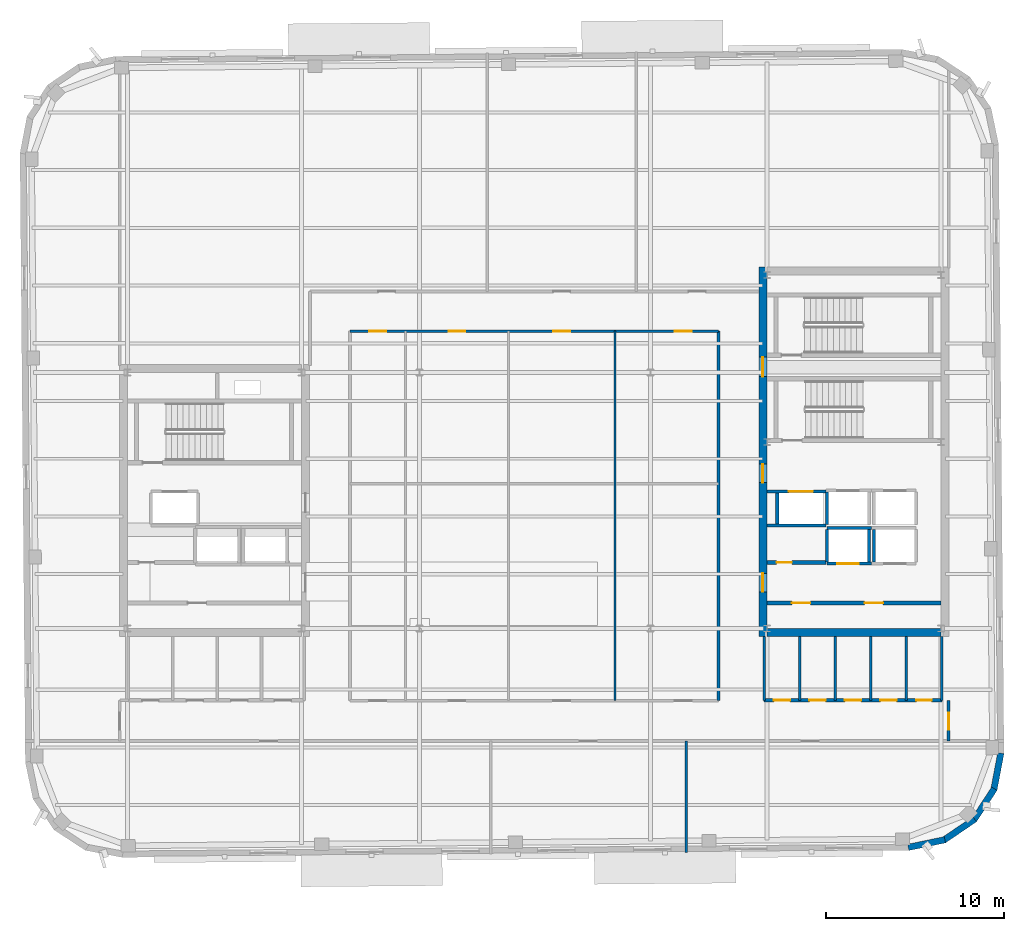
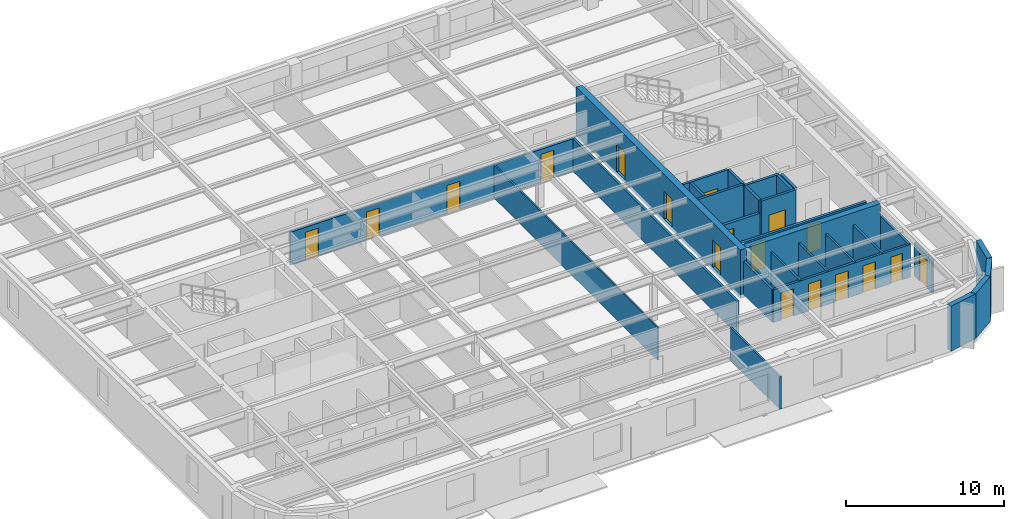
# One storey, part 8 of 15: 29 walls, 18 doors, 18 openings.
"""IFC4 building model written with IfcOpenShell, lengths in metres."""

from ifc_helpers import new_model, si_unit, direction, frame, frame_2d, origin, place, context, subcontext, project, spatial, rectangle, extrude, material, layer, layer_set, type_object, element, fill, save


model = new_model("IFC4")

# Units and contexts
model_context = context("Model", 3, precision=1e-05, world=origin(), true_north=direction((0.0, 1.0)))
body_context = subcontext(model_context, "Body", "Model", "MODEL_VIEW")
ifc_project = project(units=[si_unit("LENGTHUNIT", "METRE"), si_unit("AREAUNIT", "SQUARE_METRE"), si_unit("VOLUMEUNIT", "CUBIC_METRE"), si_unit("PLANEANGLEUNIT", "RADIAN"), si_unit("MASSUNIT", "GRAM", prefix="KILO")], contexts=[model_context])

# Site, building, storey
site_placement = place(None, origin())
site = spatial("IfcSite", under=ifc_project, at=site_placement, CompositionType="ELEMENT")
building_placement = place(site_placement, origin())
building = spatial("IfcBuilding", under=site, at=building_placement, Name="Kolvaren Arena Tower", CompositionType="ELEMENT")
storey_placement = place(building_placement, frame((0.0, 0.0, 304.89990234375)))
storey = spatial("IfcBuildingStorey", under=building, at=storey_placement, Name="L75", CompositionType="ELEMENT", Elevation=304.89990234375)

# Wall, openings, doors
ifc_material_1 = material(Name="Gypsum board acoustic assembly", Category="gypsum")
ifc_layer_1 = layer(ifc_material_1, 0.159912109375)
ifc_layer_set_1 = layer_set([ifc_layer_1], Name="Gypsum board acoustic assembly")
wall_type_1 = type_object("IfcWallType", Name="CORR-160", PredefinedType="PARTITIONING", material=ifc_layer_set_1)
wall_1_placement = place(storey_placement, frame((27.080078125, 36.179931640625, 0.0), z_axis=(0.0, 0.0, 1.0), x_axis=(1.0, 0.0, 0.0)))
wall_1 = element("IfcWall", 1, at=wall_1_placement, inside=storey, type_object=wall_type_1, Name="Interior Partition Wall (L75)", PredefinedType="PARTITIONING", context=body_context, shape_type="SweptSolid", body=[
    extrude(rectangle(XDim=20.739990234375, YDim=0.159912109375, at=frame_2d((10.3701171875, 0.0))), origin(), (0.0, 0.0, 1.0), 2.5400390625),
])
opening_1_placement = place(wall_1_placement, frame((1.094970703125, 0.0, 0.0)))
opening_1 = element("IfcOpeningElement", 2, at=opening_1_placement, cuts=wall_1, Name="Opening D05", PredefinedType="OPENING", context=body_context, shape_type="SweptSolid", body=[
    extrude(rectangle(XDim=0.949951171875, YDim=2.14990234375, at=frame_2d((0.47509765625, 1.074951171875))), frame((0.0, 0.08984375, 0.0), z_axis=(0.0, -1.0, 0.0), x_axis=(1.0, 0.0, 0.0)), (0.0, 0.0, 1.0), 0.179931640625),
])
opening_2_placement = place(wall_1_placement, frame((5.544921875, 0.0, 0.0)))
opening_2 = element("IfcOpeningElement", 3, at=opening_2_placement, cuts=wall_1, Name="Opening D05", PredefinedType="OPENING", context=body_context, shape_type="SweptSolid", body=[
    extrude(rectangle(XDim=0.949951171875, YDim=2.14990234375, at=frame_2d((0.47509765625, 1.074951171875))), frame((0.0, 0.08984375, 0.0), z_axis=(0.0, -1.0, 0.0), x_axis=(1.0, 0.0, 0.0)), (0.0, 0.0, 1.0), 0.179931640625),
])
opening_3_placement = place(wall_1_placement, frame((11.445068359375, 0.0, 0.0)))
opening_3 = element("IfcOpeningElement", 4, at=opening_3_placement, cuts=wall_1, Name="Opening D05", PredefinedType="OPENING", context=body_context, shape_type="SweptSolid", body=[
    extrude(rectangle(XDim=0.949951171875, YDim=2.14990234375, at=frame_2d((0.47509765625, 1.074951171875))), frame((0.0, 0.08984375, 0.0), z_axis=(0.0, -1.0, 0.0), x_axis=(1.0, 0.0, 0.0)), (0.0, 0.0, 1.0), 0.179931640625),
])
opening_4_placement = place(wall_1_placement, frame((18.294921875, 0.0, 0.0)))
opening_4 = element("IfcOpeningElement", 5, at=opening_4_placement, cuts=wall_1, Name="Opening D05", PredefinedType="OPENING", context=body_context, shape_type="SweptSolid", body=[
    extrude(rectangle(XDim=0.949951171875, YDim=2.14990234375, at=frame_2d((0.47509765625, 1.074951171875))), frame((0.0, 0.08984375, 0.0), z_axis=(0.0, -1.0, 0.0), x_axis=(1.0, 0.0, 0.0)), (0.0, 0.0, 1.0), 0.179931640625),
])
ifc_material_2 = material(Name="Solid-core oak acoustic office door", Category="wood")
door_type_1 = type_object("IfcDoorType", Name="DOOR-OF-095", OperationType="NOTDEFINED", PredefinedType="DOOR", material=ifc_material_2)
door_1_placement = place(opening_1_placement, origin())
door_1 = element("IfcDoor", 6, at=door_1_placement, inside=storey, type_object=door_type_1, Name="Client Lounge Door (L75)", OperationType="SINGLE_SWING_LEFT", OverallHeight=2.14990234375, OverallWidth=0.949951171875, PredefinedType="DOOR", context=body_context, shape_type="SweptSolid", body=[
    extrude(rectangle(XDim=0.949951171875, YDim=2.14990234375, at=frame_2d((0.47509765625, 1.074951171875))), frame((0.0, 0.02490234375, 0.0), z_axis=(0.0, -1.0, 0.0), x_axis=(1.0, 0.0, 0.0)), (0.0, 0.0, 1.0), 0.050048828125),
])
fill(opening_1, door_1)
door_2_placement = place(opening_2_placement, origin())
door_2 = element("IfcDoor", 7, at=door_2_placement, inside=storey, type_object=door_type_1, Name="Client Lounge Door (L75)", OperationType="SINGLE_SWING_LEFT", OverallHeight=2.14990234375, OverallWidth=0.949951171875, PredefinedType="DOOR", context=body_context, shape_type="SweptSolid", body=[
    extrude(rectangle(XDim=0.949951171875, YDim=2.14990234375, at=frame_2d((0.47509765625, 1.074951171875))), frame((0.0, 0.02490234375, 0.0), z_axis=(0.0, -1.0, 0.0), x_axis=(1.0, 0.0, 0.0)), (0.0, 0.0, 1.0), 0.050048828125),
])
fill(opening_2, door_2)
door_3_placement = place(opening_3_placement, origin())
door_3 = element("IfcDoor", 8, at=door_3_placement, inside=storey, type_object=door_type_1, Name="Boardroom Door (L75)", OperationType="SINGLE_SWING_LEFT", OverallHeight=2.14990234375, OverallWidth=0.949951171875, PredefinedType="DOOR", context=body_context, shape_type="SweptSolid", body=[
    extrude(rectangle(XDim=0.949951171875, YDim=2.14990234375, at=frame_2d((0.47509765625, 1.074951171875))), frame((0.0, 0.02490234375, 0.0), z_axis=(0.0, -1.0, 0.0), x_axis=(1.0, 0.0, 0.0)), (0.0, 0.0, 1.0), 0.050048828125),
])
fill(opening_3, door_3)
door_4_placement = place(opening_4_placement, origin())
door_4 = element("IfcDoor", 9, at=door_4_placement, inside=storey, type_object=door_type_1, Name="Client Lounge Door (L75)", OperationType="SINGLE_SWING_LEFT", OverallHeight=2.14990234375, OverallWidth=0.949951171875, PredefinedType="DOOR", context=body_context, shape_type="SweptSolid", body=[
    extrude(rectangle(XDim=0.949951171875, YDim=2.14990234375, at=frame_2d((0.47509765625, 1.074951171875))), frame((0.0, 0.02490234375, 0.0), z_axis=(0.0, -1.0, 0.0), x_axis=(1.0, 0.0, 0.0)), (0.0, 0.0, 1.0), 0.050048828125),
])
fill(opening_4, door_4)

# Wall
wall_2_placement = place(storey_placement, frame((47.820068359375, 15.3798828125, 0.0), z_axis=(0.0, 0.0, 1.0), x_axis=(0.0, 1.0, 0.0)))
element("IfcWall", 10, at=wall_2_placement, inside=storey, type_object=wall_type_1, Name="Interior Partition Wall (L75)", PredefinedType="PARTITIONING", context=body_context, shape_type="SweptSolid", body=[
    extrude(rectangle(XDim=20.800048828125, YDim=0.159912109375, at=frame_2d((10.39990234375, 0.0))), origin(), (0.0, 0.0, 1.0), 2.5400390625),
])

# Wall, opening, door
wall_3_placement = place(storey_placement, frame((60.780029296875, 13.10009765625, 0.0), z_axis=(0.0, 0.0, 1.0), x_axis=(0.0, 1.0, 0.0)))
wall_3 = element("IfcWall", 11, at=wall_3_placement, inside=storey, type_object=wall_type_1, Name="Interior Partition Wall (L75)", PredefinedType="PARTITIONING", context=body_context, shape_type="SweptSolid", body=[
    extrude(rectangle(XDim=2.2998046875, YDim=0.159912109375, at=frame_2d((1.14990234375, 0.0))), origin(), (0.0, 0.0, 1.0), 2.5400390625),
])
opening_5_placement = place(wall_3_placement, frame((0.64990234375, 0.0, 0.0)))
opening_5 = element("IfcOpeningElement", 12, at=opening_5_placement, cuts=wall_3, Name="Opening D05", PredefinedType="OPENING", context=body_context, shape_type="SweptSolid", body=[
    extrude(rectangle(XDim=0.949951171875, YDim=2.14990234375, at=frame_2d((0.47509765625, 1.074951171875))), frame((0.0, 0.08984375, 0.0), z_axis=(0.0, -1.0, 0.0), x_axis=(1.0, 0.0, 0.0)), (0.0, 0.0, 1.0), 0.179931640625),
])
door_5_placement = place(opening_5_placement, origin())
door_5 = element("IfcDoor", 13, at=door_5_placement, inside=storey, type_object=door_type_1, Name="East Wing Studio Door (L75)", OperationType="SINGLE_SWING_RIGHT", OverallHeight=2.14990234375, OverallWidth=0.949951171875, PredefinedType="DOOR", context=body_context, shape_type="SweptSolid", body=[
    extrude(rectangle(XDim=0.949951171875, YDim=2.14990234375, at=frame_2d((0.47509765625, 1.074951171875))), frame((0.0, 0.02490234375, 0.0), z_axis=(0.0, -1.0, 0.0), x_axis=(1.0, 0.0, 0.0)), (0.0, 0.0, 1.0), 0.050048828125),
])
fill(opening_5, door_5)

# Wall, openings, doors
ifc_material_3 = material(Name="Concrete 55 MPa", Category="concrete")
ifc_layer_2 = layer(ifc_material_3, 0.449951171875)
ifc_layer_set_2 = layer_set([ifc_layer_2], Name="Concrete 55 MPa")
wall_type_2 = type_object("IfcWallType", Name="CWALL-450", PredefinedType="SHEAR", material=ifc_layer_set_2)
wall_4_placement = place(storey_placement, frame((50.324951171875, 19.0, -0.27001953125), z_axis=(0.0, 0.0, 1.0), x_axis=(0.0, 1.0, 0.0)))
wall_4 = element("IfcWall", 14, at=wall_4_placement, inside=storey, type_object=wall_type_2, Name="Core Shear Wall EC-WEST (L75)", PredefinedType="SHEAR", context=body_context, shape_type="SweptSolid", body=[
    extrude(rectangle(XDim=20.800048828125, YDim=0.449951171875, at=frame_2d((10.39990234375, 0.0))), origin(), (0.0, 0.0, 1.0), 3.75),
])
opening_6_placement = place(wall_4_placement, frame((2.5, 0.0, 0.27001953125)))
opening_6 = element("IfcOpeningElement", 15, at=opening_6_placement, cuts=wall_4, Name="Opening D04", PredefinedType="OPENING", context=body_context, shape_type="SweptSolid", body=[
    extrude(rectangle(XDim=1.050048828125, YDim=2.14990234375, at=frame_2d((0.52490234375, 1.074951171875))), frame((0.0, 0.23486328125, 0.0), z_axis=(0.0, -1.0, 0.0), x_axis=(1.0, 0.0, 0.0)), (0.0, 0.0, 1.0), 0.469970703125),
])
opening_7_placement = place(wall_4_placement, frame((8.64990234375, 0.0, 0.27001953125)))
opening_7 = element("IfcOpeningElement", 16, at=opening_7_placement, cuts=wall_4, Name="Opening D04", PredefinedType="OPENING", context=body_context, shape_type="SweptSolid", body=[
    extrude(rectangle(XDim=1.050048828125, YDim=2.14990234375, at=frame_2d((0.52490234375, 1.074951171875))), frame((0.0, 0.23486328125, 0.0), z_axis=(0.0, -1.0, 0.0), x_axis=(1.0, 0.0, 0.0)), (0.0, 0.0, 1.0), 0.469970703125),
])
opening_8_placement = place(wall_4_placement, frame((14.6201171875, 0.0, 0.27001953125)))
opening_8 = element("IfcOpeningElement", 17, at=opening_8_placement, cuts=wall_4, Name="Opening D03", PredefinedType="OPENING", context=body_context, shape_type="SweptSolid", body=[
    extrude(rectangle(XDim=1.10009765625, YDim=2.14990234375, at=frame_2d((0.550048828125, 1.074951171875))), frame((0.0, 0.23486328125, 0.0), z_axis=(0.0, -1.0, 0.0), x_axis=(1.0, 0.0, 0.0)), (0.0, 0.0, 1.0), 0.469970703125),
])
ifc_material_4 = material(Name="Fire-rated steel lobby door", Category="steel")
door_type_2 = type_object("IfcDoorType", Name="DOOR-FF-105", OperationType="NOTDEFINED", PredefinedType="DOOR", material=ifc_material_4)
door_6_placement = place(opening_6_placement, origin())
door_6 = element("IfcDoor", 18, at=door_6_placement, inside=storey, type_object=door_type_2, Name="East Lift Lobby Fire Door (L75)", OperationType="SINGLE_SWING_RIGHT", OverallHeight=2.14990234375, OverallWidth=1.050048828125, PredefinedType="DOOR", context=body_context, shape_type="SweptSolid", body=[
    extrude(rectangle(XDim=1.050048828125, YDim=2.14990234375, at=frame_2d((0.52490234375, 1.074951171875))), frame((0.0, 0.02490234375, 0.0), z_axis=(0.0, -1.0, 0.0), x_axis=(1.0, 0.0, 0.0)), (0.0, 0.0, 1.0), 0.050048828125),
])
fill(opening_6, door_6)
door_7_placement = place(opening_7_placement, origin())
door_7 = element("IfcDoor", 19, at=door_7_placement, inside=storey, type_object=door_type_2, Name="East Firefighter Vestibule Door (L75)", OperationType="SINGLE_SWING_LEFT", OverallHeight=2.14990234375, OverallWidth=1.050048828125, PredefinedType="DOOR", context=body_context, shape_type="SweptSolid", body=[
    extrude(rectangle(XDim=1.050048828125, YDim=2.14990234375, at=frame_2d((0.52490234375, 1.074951171875))), frame((0.0, 0.02490234375, 0.0), z_axis=(0.0, -1.0, 0.0), x_axis=(1.0, 0.0, 0.0)), (0.0, 0.0, 1.0), 0.050048828125),
])
fill(opening_7, door_7)
ifc_material_5 = material(Name="Fire-rated steel exit stair door", Category="steel")
door_type_3 = type_object("IfcDoorType", Name="DOOR-ST-110", OperationType="NOTDEFINED", PredefinedType="DOOR", material=ifc_material_5)
door_8_placement = place(opening_8_placement, origin())
door_8 = element("IfcDoor", 20, at=door_8_placement, inside=storey, type_object=door_type_3, Name="Stair ST-E2 Vestibule Fire Door (L75)", OperationType="SINGLE_SWING_LEFT", OverallHeight=2.14990234375, OverallWidth=1.10009765625, PredefinedType="DOOR", context=body_context, shape_type="SweptSolid", body=[
    extrude(rectangle(XDim=1.10009765625, YDim=2.14990234375, at=frame_2d((0.550048828125, 1.074951171875))), frame((0.0, 0.02490234375, 0.0), z_axis=(0.0, -1.0, 0.0), x_axis=(1.0, 0.0, 0.0)), (0.0, 0.0, 1.0), 0.050048828125),
])
fill(opening_8, door_8)

# Walls
wall_5_placement = place(storey_placement, frame((50.550048828125, 19.22509765625, -0.27001953125), z_axis=(0.0, 0.0, 1.0), x_axis=(1.0, 0.0, 0.0)))
element("IfcWall", 21, at=wall_5_placement, inside=storey, type_object=wall_type_2, Name="Core Shear Wall EC-SOUTH (L75)", PredefinedType="SHEAR", context=body_context, shape_type="SweptSolid", body=[
    extrude(rectangle(XDim=9.800048828125, YDim=0.449951171875, at=frame_2d((4.89990234375, 0.0))), origin(), (0.0, 0.0, 1.0), 3.75),
])
ifc_material_6 = material(Name="Precast concrete C50/60", Category="concrete")
ifc_layer_3 = layer(ifc_material_6, 0.360107421875)
ifc_layer_set_3 = layer_set([ifc_layer_3], Name="Precast concrete C50/60")
wall_type_3 = type_object("IfcWallType", Name="EXT-PIER2", PredefinedType="SOLIDWALL", material=ifc_layer_set_3)
wall_6_placement = place(storey_placement, frame((60.572265625, 7.54931640625, 0.0), z_axis=(0.0, 0.0, 1.0), x_axis=(-0.979059388908, -0.203574833883, 0.0)))
element("IfcWall", 22, at=wall_6_placement, inside=storey, type_object=wall_type_3, Name="Exterior Precast Masonry-Frame Wall (L75)", PredefinedType="SOLIDWALL", context=body_context, shape_type="SweptSolid", body=[
    extrude(rectangle(XDim=2.107177734375, YDim=0.360107421875, at=frame_2d((1.0537109375, 0.0))), origin(), (0.0, 0.0, 1.0), 3.47998046875),
])
for number, where, z_axis, x_axis, name in (
    (23, (62.2490234375, 8.707763671875, 0.0), (0.0, 0.0, 1.0), (-0.826572866302, -0.562829722645, 0.0), "Exterior Precast Masonry-Frame Wall (L75)"),
    (24, (63.35498046875, 10.419921875, 0.0), (0.0, 0.0, 1.0), (-0.54818559406, -0.836356714844, 0.0), "Exterior Precast Masonry-Frame Wall (L75)"),
    (25, (63.7216796875, 12.4248046875, 0.0), (0.0, 0.0, 1.0), (-0.186435855703, -0.98246713518, 0.0), "Exterior Precast Masonry-Frame Wall (L75)"),
):
    element("IfcWall", number, at=place(storey_placement, frame(where, z_axis=z_axis, x_axis=x_axis)), inside=storey, type_object=wall_type_3, Name=name, PredefinedType="SOLIDWALL", context=body_context, shape_type="SweptSolid", body=[
        extrude(rectangle(XDim=2.10693359375, YDim=0.360107421875, at=frame_2d((1.053466796875, 0.0))), origin(), (0.0, 0.0, 1.0), 3.47998046875),
    ])

# Wall, openings, doors
ifc_material_7 = material(Name="Concrete 40 MPa", Category="concrete")
ifc_layer_4 = layer(ifc_material_7, 0.199951171875)
ifc_layer_set_4 = layer_set([ifc_layer_4], Name="Concrete 40 MPa")
wall_type_4 = type_object("IfcWallType", Name="LOBBY-200", PredefinedType="SOLIDWALL", material=ifc_layer_set_4)
wall_7_placement = place(storey_placement, frame((50.550048828125, 20.8798828125, 0.0), z_axis=(0.0, 0.0, 1.0), x_axis=(1.0, 0.0, 0.0)))
wall_7 = element("IfcWall", 26, at=wall_7_placement, inside=storey, type_object=wall_type_4, Name="Core Shaft Wall (L75)", PredefinedType="SOLIDWALL", context=body_context, shape_type="SweptSolid", body=[
    extrude(rectangle(XDim=9.800048828125, YDim=0.199951171875, at=frame_2d((4.89990234375, 0.0))), origin(), (0.0, 0.0, 1.0), 2.5400390625),
])
opening_9_placement = place(wall_7_placement, frame((1.39990234375, 0.0, 0.0)))
opening_9 = element("IfcOpeningElement", 27, at=opening_9_placement, cuts=wall_7, Name="Opening D04", PredefinedType="OPENING", context=body_context, shape_type="SweptSolid", body=[
    extrude(rectangle(XDim=1.050048828125, YDim=2.14990234375, at=frame_2d((0.52490234375, 1.074951171875))), frame((0.0, 0.10986328125, 0.0), z_axis=(0.0, -1.0, 0.0), x_axis=(1.0, 0.0, 0.0)), (0.0, 0.0, 1.0), 0.219970703125),
])
opening_10_placement = place(wall_7_placement, frame((5.5, 0.0, 0.0)))
opening_10 = element("IfcOpeningElement", 28, at=opening_10_placement, cuts=wall_7, Name="Opening D04", PredefinedType="OPENING", context=body_context, shape_type="SweptSolid", body=[
    extrude(rectangle(XDim=1.050048828125, YDim=2.14990234375, at=frame_2d((0.52490234375, 1.074951171875))), frame((0.0, 0.10986328125, 0.0), z_axis=(0.0, -1.0, 0.0), x_axis=(1.0, 0.0, 0.0)), (0.0, 0.0, 1.0), 0.219970703125),
])
door_9_placement = place(opening_9_placement, origin())
door_9 = element("IfcDoor", 29, at=door_9_placement, inside=storey, type_object=door_type_2, Name="East Telecom Room Fire Door (L75)", OperationType="SINGLE_SWING_RIGHT", OverallHeight=2.14990234375, OverallWidth=1.050048828125, PredefinedType="DOOR", context=body_context, shape_type="SweptSolid", body=[
    extrude(rectangle(XDim=1.050048828125, YDim=2.14990234375, at=frame_2d((0.52490234375, 1.074951171875))), frame((0.0, 0.02490234375, 0.0), z_axis=(0.0, -1.0, 0.0), x_axis=(1.0, 0.0, 0.0)), (0.0, 0.0, 1.0), 0.050048828125),
])
fill(opening_9, door_9)
door_10_placement = place(opening_10_placement, origin())
door_10 = element("IfcDoor", 30, at=door_10_placement, inside=storey, type_object=door_type_2, Name="East Records Room Fire Door (L75)", OperationType="SINGLE_SWING_LEFT", OverallHeight=2.14990234375, OverallWidth=1.050048828125, PredefinedType="DOOR", context=body_context, shape_type="SweptSolid", body=[
    extrude(rectangle(XDim=1.050048828125, YDim=2.14990234375, at=frame_2d((0.52490234375, 1.074951171875))), frame((0.0, 0.02490234375, 0.0), z_axis=(0.0, -1.0, 0.0), x_axis=(1.0, 0.0, 0.0)), (0.0, 0.0, 1.0), 0.050048828125),
])
fill(opening_10, door_10)

# Wall, opening, door
wall_8_placement = place(storey_placement, frame((50.550048828125, 23.159912109375, 0.0), z_axis=(0.0, 0.0, 1.0), x_axis=(1.0, 0.0, 0.0)))
wall_8 = element("IfcWall", 31, at=wall_8_placement, inside=storey, type_object=wall_type_4, Name="Core Shaft Wall (L75)", PredefinedType="SOLIDWALL", context=body_context, shape_type="SweptSolid", body=[
    extrude(rectangle(XDim=3.329833984375, YDim=0.199951171875, at=frame_2d((1.6650390625, 0.0))), origin(), (0.0, 0.0, 1.0), 2.5400390625),
])
opening_11_placement = place(wall_8_placement, frame((0.550048828125, 0.0, 0.0)))
opening_11 = element("IfcOpeningElement", 32, at=opening_11_placement, cuts=wall_8, Name="Opening D09", PredefinedType="OPENING", context=body_context, shape_type="SweptSolid", body=[
    extrude(rectangle(XDim=0.860107421875, YDim=2.050048828125, at=frame_2d((0.43017578125, 1.02490234375))), frame((0.0, 0.10986328125, 0.0), z_axis=(0.0, -1.0, 0.0), x_axis=(1.0, 0.0, 0.0)), (0.0, 0.0, 1.0), 0.219970703125),
])
ifc_material_8 = material(Name="Fire-rated steel riser access door", Category="steel")
door_type_4 = type_object("IfcDoorType", Name="DOOR-RS-086", OperationType="NOTDEFINED", PredefinedType="DOOR", material=ifc_material_8)
door_11_placement = place(opening_11_placement, origin())
door_11 = element("IfcDoor", 33, at=door_11_placement, inside=storey, type_object=door_type_4, Name="East AV Riser Closet Door (L75)", OperationType="SINGLE_SWING_LEFT", OverallHeight=2.050048828125, OverallWidth=0.860107421875, PredefinedType="DOOR", context=body_context, shape_type="SweptSolid", body=[
    extrude(rectangle(XDim=0.860107421875, YDim=2.050048828125, at=frame_2d((0.43017578125, 1.02490234375))), frame((0.0, 0.02490234375, 0.0), z_axis=(0.0, -1.0, 0.0), x_axis=(1.0, 0.0, 0.0)), (0.0, 0.0, 1.0), 0.050048828125),
])
fill(opening_11, door_11)

# Walls
ifc_material_9 = material(Name="Gypsum board partition assembly", Category="gypsum")
ifc_layer_5 = layer(ifc_material_9, 0.114990234375)
ifc_layer_set_5 = layer_set([ifc_layer_5], Name="Gypsum board partition assembly")
wall_type_5 = type_object("IfcWallType", Name="PART-115", PredefinedType="PARTITIONING", material=ifc_layer_set_5)
wall_9_placement = place(storey_placement, frame((42.0, 15.3798828125, 0.0), z_axis=(0.0, 0.0, 1.0), x_axis=(0.0, 1.0, 0.0)))
element("IfcWall", 34, at=wall_9_placement, inside=storey, type_object=wall_type_5, Name="Interior Partition Wall (L75)", PredefinedType="PARTITIONING", context=body_context, shape_type="SweptSolid", body=[
    extrude(rectangle(XDim=20.800048828125, YDim=0.114990234375, at=frame_2d((10.39990234375, 0.0))), origin(), (0.0, 0.0, 1.0), 2.5400390625),
])
ifc_layer_6 = layer(ifc_material_9, 0.135009765625)
ifc_layer_set_6 = layer_set([ifc_layer_6], Name="Gypsum board partition assembly")
wall_type_6 = type_object("IfcWallType", Name="PART-135", PredefinedType="PARTITIONING", material=ifc_layer_set_6)
wall_10_placement = place(storey_placement, frame((46.0, 6.834716796875, 0.0), z_axis=(0.0, 0.0, 1.0), x_axis=(0.0, 1.0, 0.0)))
element("IfcWall", 35, at=wall_10_placement, inside=storey, type_object=wall_type_6, Name="Interior Partition Wall (L75)", PredefinedType="PARTITIONING", context=body_context, shape_type="SweptSolid", body=[
    extrude(rectangle(XDim=6.265380859375, YDim=0.135009765625, at=frame_2d((3.1328125, 0.0))), origin(), (0.0, 0.0, 1.0), 2.5400390625),
])
ifc_material_10 = material(Name="Concrete 45 MPa", Category="concrete")
ifc_layer_7 = layer(ifc_material_10, 0.25)
ifc_layer_set_7 = layer_set([ifc_layer_7], Name="Concrete 45 MPa")
wall_type_7 = type_object("IfcWallType", Name="SHAFT-250", PredefinedType="SOLIDWALL", material=ifc_layer_set_7)
wall_11_placement = place(storey_placement, frame((53.93994140625, 25.10498046875, 0.0), z_axis=(0.0, 0.0, 1.0), x_axis=(1.0, 0.0, 0.0)))
element("IfcWall", 36, at=wall_11_placement, inside=storey, type_object=wall_type_7, Name="Core Shaft Wall (L75)", PredefinedType="SOLIDWALL", context=body_context, shape_type="SweptSolid", body=[
    extrude(rectangle(XDim=2.5, YDim=0.179931640625, at=frame_2d((1.25, 0.0))), origin(), (0.0, 0.0, 1.0), 3.47998046875),
])

# Wall, opening, door
wall_12_placement = place(storey_placement, frame((53.93994140625, 23.094970703125, 0.0), z_axis=(0.0, 0.0, 1.0), x_axis=(1.0, 0.0, 0.0)))
wall_12 = element("IfcWall", 37, at=wall_12_placement, inside=storey, type_object=wall_type_7, Name="Core Shaft Wall (L75)", PredefinedType="SOLIDWALL", context=body_context, shape_type="SweptSolid", body=[
    extrude(rectangle(XDim=2.5, YDim=0.179931640625, at=frame_2d((1.25, 0.0))), origin(), (0.0, 0.0, 1.0), 3.47998046875),
])
opening_12_placement = place(wall_12_placement, frame((0.580078125, 0.0, 0.0)))
opening_12 = element("IfcOpeningElement", 38, at=opening_12_placement, cuts=wall_12, Name="Opening LD1", PredefinedType="OPENING", context=body_context, shape_type="SweptSolid", body=[
    extrude(rectangle(XDim=1.199951171875, YDim=2.199951171875, at=frame_2d((0.60009765625, 1.10009765625))), frame((0.0, 0.099853515625, 0.0), z_axis=(0.0, -1.0, 0.0), x_axis=(1.0, 0.0, 0.0)), (0.0, 0.0, 1.0), 0.199951171875),
])
ifc_material_11 = material(Name="Stainless steel passenger lift landing door", Category="steel")
door_type_5 = type_object("IfcDoorType", Name="DOOR-LD-120", OperationType="DOUBLE_DOOR_SLIDING", PredefinedType="DOOR", material=ifc_material_11)
door_12_placement = place(opening_12_placement, origin())
door_12 = element("IfcDoor", 39, at=door_12_placement, inside=storey, type_object=door_type_5, Name="Lift EL-HR1 Landing Door (L75)", OperationType="DOUBLE_DOOR_SLIDING", OverallHeight=2.199951171875, OverallWidth=1.199951171875, PredefinedType="DOOR", context=body_context, shape_type="SweptSolid", body=[
    extrude(rectangle(XDim=1.199951171875, YDim=2.199951171875, at=frame_2d((0.60009765625, 1.10009765625))), frame((0.0, 0.02490234375, 0.0), z_axis=(0.0, -1.0, 0.0), x_axis=(1.0, 0.0, 0.0)), (0.0, 0.0, 1.0), 0.050048828125),
])
fill(opening_12, door_12)

# Walls
for number, where, z_axis, x_axis, name in (
    (40, (53.93994140625, 23.18505859375, 0.0), (0.0, 0.0, 1.0), (0.0, 1.0, 0.0), "Core Shaft Wall (L75)"),
    (41, (56.300048828125, 23.18505859375, 0.0), (0.0, 0.0, 1.0), (0.0, 1.0, 0.0), "Core Shaft Wall (L75)"),
    (42, (56.580078125, 23.18505859375, 0.0), (0.0, 0.0, 1.0), (0.0, 1.0, 0.0), "Core Shaft Wall (L75)"),
):
    element("IfcWall", number, at=place(storey_placement, frame(where, z_axis=z_axis, x_axis=x_axis)), inside=storey, type_object=wall_type_7, Name=name, PredefinedType="SOLIDWALL", context=body_context, shape_type="SweptSolid", body=[
        extrude(rectangle(XDim=1.829833984375, YDim=0.179931640625, at=frame_2d((0.9150390625, 0.0))), origin(), (0.0, 0.0, 1.0), 3.47998046875),
    ])
wall_13_placement = place(storey_placement, frame((53.93994140625, 25.284912109375, 0.0), z_axis=(0.0, 0.0, 1.0), x_axis=(0.0, 1.0, 0.0)))
element("IfcWall", 43, at=wall_13_placement, inside=storey, type_object=wall_type_7, Name="Core Shaft Wall (L75)", PredefinedType="SOLIDWALL", context=body_context, shape_type="SweptSolid", body=[
    extrude(rectangle(XDim=1.830078125, YDim=0.179931640625, at=frame_2d((0.9150390625, 0.0))), origin(), (0.0, 0.0, 1.0), 3.47998046875),
])

# Wall, opening, door
wall_14_placement = place(storey_placement, frame((50.550048828125, 27.155029296875, 0.0), z_axis=(0.0, 0.0, 1.0), x_axis=(1.0, 0.0, 0.0)))
wall_14 = element("IfcWall", 44, at=wall_14_placement, inside=storey, type_object=wall_type_7, Name="Core Shaft Wall (L75)", PredefinedType="SOLIDWALL", context=body_context, shape_type="SweptSolid", body=[
    extrude(rectangle(XDim=3.31494140625, YDim=0.179931640625, at=frame_2d((1.657470703125, 0.0))), origin(), (0.0, 0.0, 1.0), 3.47998046875),
])
opening_13_placement = place(wall_14_placement, frame((1.235107421875, 0.0, 0.0)))
opening_13 = element("IfcOpeningElement", 45, at=opening_13_placement, cuts=wall_14, Name="Opening LD2", PredefinedType="OPENING", context=body_context, shape_type="SweptSolid", body=[
    extrude(rectangle(XDim=1.35009765625, YDim=2.300048828125, at=frame_2d((0.675048828125, 1.14990234375))), frame((0.0, 0.099853515625, 0.0), z_axis=(0.0, -1.0, 0.0), x_axis=(1.0, 0.0, 0.0)), (0.0, 0.0, 1.0), 0.199951171875),
])
ifc_material_12 = material(Name="Stainless steel firefighter lift landing door", Category="steel")
door_type_6 = type_object("IfcDoorType", Name="DOOR-LD-135", OperationType="DOUBLE_DOOR_SLIDING", PredefinedType="DOOR", material=ifc_material_12)
door_13_placement = place(opening_13_placement, origin())
door_13 = element("IfcDoor", 46, at=door_13_placement, inside=storey, type_object=door_type_6, Name="Firefighter Lift FF-E1 Landing Door (L75)", OperationType="DOUBLE_DOOR_SLIDING", OverallHeight=2.300048828125, OverallWidth=1.35009765625, PredefinedType="DOOR", context=body_context, shape_type="SweptSolid", body=[
    extrude(rectangle(XDim=1.35009765625, YDim=2.300048828125, at=frame_2d((0.675048828125, 1.14990234375))), frame((0.0, 0.02490234375, 0.0), z_axis=(0.0, -1.0, 0.0), x_axis=(1.0, 0.0, 0.0)), (0.0, 0.0, 1.0), 0.050048828125),
])
fill(opening_13, door_13)

# Walls
wall_15_placement = place(storey_placement, frame((50.550048828125, 25.2451171875, 0.0), z_axis=(0.0, 0.0, 1.0), x_axis=(1.0, 0.0, 0.0)))
element("IfcWall", 47, at=wall_15_placement, inside=storey, type_object=wall_type_7, Name="Core Shaft Wall (L75)", PredefinedType="SOLIDWALL", context=body_context, shape_type="SweptSolid", body=[
    extrude(rectangle(XDim=3.31494140625, YDim=0.179931640625, at=frame_2d((1.657470703125, 0.0))), origin(), (0.0, 0.0, 1.0), 3.47998046875),
])
wall_16_placement = place(storey_placement, frame((51.1298828125, 25.3349609375, 0.0), z_axis=(0.0, 0.0, 1.0), x_axis=(0.0, 1.0, 0.0)))
element("IfcWall", 48, at=wall_16_placement, inside=storey, type_object=wall_type_7, Name="Core Shaft Wall (L75)", PredefinedType="SOLIDWALL", context=body_context, shape_type="SweptSolid", body=[
    extrude(rectangle(XDim=1.72998046875, YDim=0.179931640625, at=frame_2d((0.864990234375, 0.0))), origin(), (0.0, 0.0, 1.0), 3.47998046875),
])

# Wall, openings, doors
wall_17_placement = place(storey_placement, frame((50.39990234375, 15.39990234375, 0.0), z_axis=(0.0, 0.0, 1.0), x_axis=(1.0, 0.0, 0.0)))
wall_17 = element("IfcWall", 49, at=wall_17_placement, inside=storey, type_object=wall_type_7, Name="Interior Partition Wall (L75)", PredefinedType="SOLIDWALL", context=body_context, shape_type="SweptSolid", body=[
    extrude(rectangle(XDim=10.0, YDim=0.179931640625, at=frame_2d((5.0, 0.0))), origin(), (0.0, 0.0, 1.0), 2.5400390625),
])
opening_14_placement = place(wall_17_placement, frame((0.5400390625, 0.0, 0.0)))
opening_14 = element("IfcOpeningElement", 50, at=opening_14_placement, cuts=wall_17, Name="Opening D07", PredefinedType="OPENING", context=body_context, shape_type="SweptSolid", body=[
    extrude(rectangle(XDim=0.919921875, YDim=2.10009765625, at=frame_2d((0.4599609375, 1.050048828125))), frame((0.0, 0.099853515625, 0.0), z_axis=(0.0, -1.0, 0.0), x_axis=(1.0, 0.0, 0.0)), (0.0, 0.0, 1.0), 0.199951171875),
])
opening_15_placement = place(wall_17_placement, frame((2.5400390625, 0.0, 0.0)))
opening_15 = element("IfcOpeningElement", 51, at=opening_15_placement, cuts=wall_17, Name="Opening D07", PredefinedType="OPENING", context=body_context, shape_type="SweptSolid", body=[
    extrude(rectangle(XDim=0.919921875, YDim=2.10009765625, at=frame_2d((0.4599609375, 1.050048828125))), frame((0.0, 0.099853515625, 0.0), z_axis=(0.0, -1.0, 0.0), x_axis=(1.0, 0.0, 0.0)), (0.0, 0.0, 1.0), 0.199951171875),
])
opening_16_placement = place(wall_17_placement, frame((4.5400390625, 0.0, 0.0)))
opening_16 = element("IfcOpeningElement", 52, at=opening_16_placement, cuts=wall_17, Name="Opening D07", PredefinedType="OPENING", context=body_context, shape_type="SweptSolid", body=[
    extrude(rectangle(XDim=0.919921875, YDim=2.10009765625, at=frame_2d((0.4599609375, 1.050048828125))), frame((0.0, 0.099853515625, 0.0), z_axis=(0.0, -1.0, 0.0), x_axis=(1.0, 0.0, 0.0)), (0.0, 0.0, 1.0), 0.199951171875),
])
opening_17_placement = place(wall_17_placement, frame((6.5400390625, 0.0, 0.0)))
opening_17 = element("IfcOpeningElement", 53, at=opening_17_placement, cuts=wall_17, Name="Opening D07", PredefinedType="OPENING", context=body_context, shape_type="SweptSolid", body=[
    extrude(rectangle(XDim=0.919921875, YDim=2.10009765625, at=frame_2d((0.4599609375, 1.050048828125))), frame((0.0, 0.099853515625, 0.0), z_axis=(0.0, -1.0, 0.0), x_axis=(1.0, 0.0, 0.0)), (0.0, 0.0, 1.0), 0.199951171875),
])
opening_18_placement = place(wall_17_placement, frame((8.570068359375, 0.0, 0.0)))
opening_18 = element("IfcOpeningElement", 54, at=opening_18_placement, cuts=wall_17, Name="Opening D09", PredefinedType="OPENING", context=body_context, shape_type="SweptSolid", body=[
    extrude(rectangle(XDim=0.860107421875, YDim=2.050048828125, at=frame_2d((0.43017578125, 1.02490234375))), frame((0.0, 0.099853515625, 0.0), z_axis=(0.0, -1.0, 0.0), x_axis=(1.0, 0.0, 0.0)), (0.0, 0.0, 1.0), 0.199951171875),
])
door_14_placement = place(opening_18_placement, origin())
door_14 = element("IfcDoor", 55, at=door_14_placement, inside=storey, type_object=door_type_4, Name="Telecom Riser Closet Door (L75)", OperationType="SINGLE_SWING_LEFT", OverallHeight=2.050048828125, OverallWidth=0.860107421875, PredefinedType="DOOR", context=body_context, shape_type="SweptSolid", body=[
    extrude(rectangle(XDim=0.860107421875, YDim=2.050048828125, at=frame_2d((0.43017578125, 1.02490234375))), frame((0.0, 0.02490234375, 0.0), z_axis=(0.0, -1.0, 0.0), x_axis=(1.0, 0.0, 0.0)), (0.0, 0.0, 1.0), 0.050048828125),
])
fill(opening_18, door_14)
ifc_material_13 = material(Name="Laminate universal washroom door", Category="wood")
door_type_7 = type_object("IfcDoorType", Name="DOOR-WC-092", OperationType="NOTDEFINED", PredefinedType="DOOR", material=ifc_material_13)
door_15_placement = place(opening_14_placement, origin())
door_15 = element("IfcDoor", 56, at=door_15_placement, inside=storey, type_object=door_type_7, Name="First Aid Store Door (L75)", OperationType="SINGLE_SWING_LEFT", OverallHeight=2.10009765625, OverallWidth=0.919921875, PredefinedType="DOOR", context=body_context, shape_type="SweptSolid", body=[
    extrude(rectangle(XDim=0.919921875, YDim=2.10009765625, at=frame_2d((0.4599609375, 1.050048828125))), frame((0.0, 0.02490234375, 0.0), z_axis=(0.0, -1.0, 0.0), x_axis=(1.0, 0.0, 0.0)), (0.0, 0.0, 1.0), 0.050048828125),
])
fill(opening_14, door_15)
door_16_placement = place(opening_15_placement, origin())
door_16 = element("IfcDoor", 57, at=door_16_placement, inside=storey, type_object=door_type_7, Name="Cleaner and Janitor Store Door (L75)", OperationType="SINGLE_SWING_RIGHT", OverallHeight=2.10009765625, OverallWidth=0.919921875, PredefinedType="DOOR", context=body_context, shape_type="SweptSolid", body=[
    extrude(rectangle(XDim=0.919921875, YDim=2.10009765625, at=frame_2d((0.4599609375, 1.050048828125))), frame((0.0, 0.02490234375, 0.0), z_axis=(0.0, -1.0, 0.0), x_axis=(1.0, 0.0, 0.0)), (0.0, 0.0, 1.0), 0.050048828125),
])
fill(opening_15, door_16)
door_17_placement = place(opening_16_placement, origin())
door_17 = element("IfcDoor", 58, at=door_17_placement, inside=storey, type_object=door_type_7, Name="Staff Pantry Door (L75)", OperationType="SINGLE_SWING_LEFT", OverallHeight=2.10009765625, OverallWidth=0.919921875, PredefinedType="DOOR", context=body_context, shape_type="SweptSolid", body=[
    extrude(rectangle(XDim=0.919921875, YDim=2.10009765625, at=frame_2d((0.4599609375, 1.050048828125))), frame((0.0, 0.02490234375, 0.0), z_axis=(0.0, -1.0, 0.0), x_axis=(1.0, 0.0, 0.0)), (0.0, 0.0, 1.0), 0.050048828125),
])
fill(opening_16, door_17)
door_18_placement = place(opening_17_placement, origin())
door_18 = element("IfcDoor", 59, at=door_18_placement, inside=storey, type_object=door_type_7, Name="Gender-Neutral Washroom Door (L75)", OperationType="SINGLE_SWING_RIGHT", OverallHeight=2.10009765625, OverallWidth=0.919921875, PredefinedType="DOOR", context=body_context, shape_type="SweptSolid", body=[
    extrude(rectangle(XDim=0.919921875, YDim=2.10009765625, at=frame_2d((0.4599609375, 1.050048828125))), frame((0.0, 0.02490234375, 0.0), z_axis=(0.0, -1.0, 0.0), x_axis=(1.0, 0.0, 0.0)), (0.0, 0.0, 1.0), 0.050048828125),
])
fill(opening_17, door_18)

# Walls
ifc_material_14 = material(Name="Moisture-resistant gypsum assembly", Category="gypsum")
ifc_layer_8 = layer(ifc_material_14, 0.14990234375)
ifc_layer_set_8 = layer_set([ifc_layer_8], Name="Moisture-resistant gypsum assembly")
wall_type_8 = type_object("IfcWallType", Name="WETW-150", PredefinedType="PARTITIONING", material=ifc_layer_set_8)
for number, where, z_axis, x_axis, name in (
    (60, (52.39990234375, 15.39990234375, 0.0), (0.0, 0.0, 1.0), (0.0, 1.0, 0.0), "Interior Partition Wall (L75)"),
    (61, (54.39990234375, 15.39990234375, 0.0), (0.0, 0.0, 1.0), (0.0, 1.0, 0.0), "Interior Partition Wall (L75)"),
    (62, (56.39990234375, 15.39990234375, 0.0), (0.0, 0.0, 1.0), (0.0, 1.0, 0.0), "Interior Partition Wall (L75)"),
    (63, (58.39990234375, 15.39990234375, 0.0), (0.0, 0.0, 1.0), (0.0, 1.0, 0.0), "Interior Partition Wall (L75)"),
    (64, (50.39990234375, 15.39990234375, 0.0), (0.0, 0.0, 1.0), (0.0, 1.0, 0.0), "Interior Partition Wall (L75)"),
    (65, (60.39990234375, 15.39990234375, 0.0), (0.0, 0.0, 1.0), (0.0, 1.0, 0.0), "Interior Partition Wall (L75)"),
):
    element("IfcWall", number, at=place(storey_placement, frame(where, z_axis=z_axis, x_axis=x_axis)), inside=storey, type_object=wall_type_8, Name=name, PredefinedType="PARTITIONING", context=body_context, shape_type="SweptSolid", body=[
        extrude(rectangle(XDim=3.580078125, YDim=0.14990234375, at=frame_2d((1.7900390625, 0.0))), origin(), (0.0, 0.0, 1.0), 2.5400390625),
    ])

save(model, "model.ifc")
